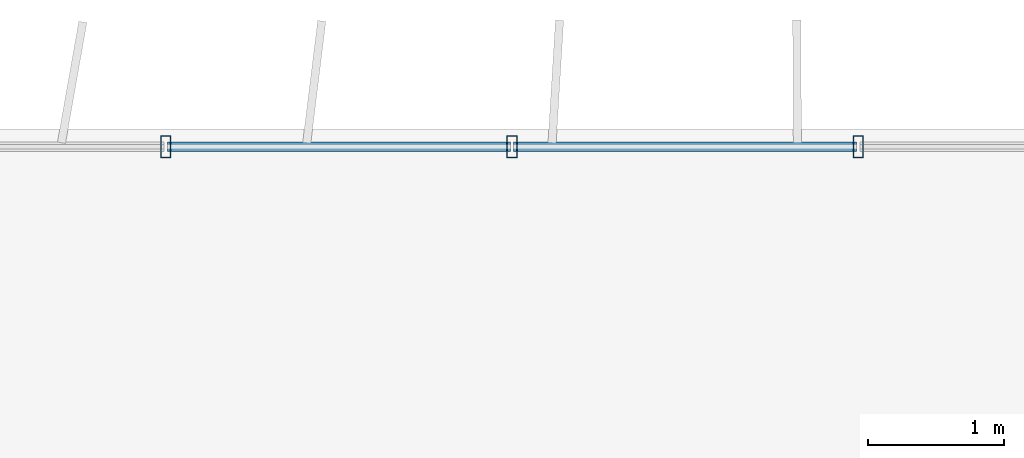
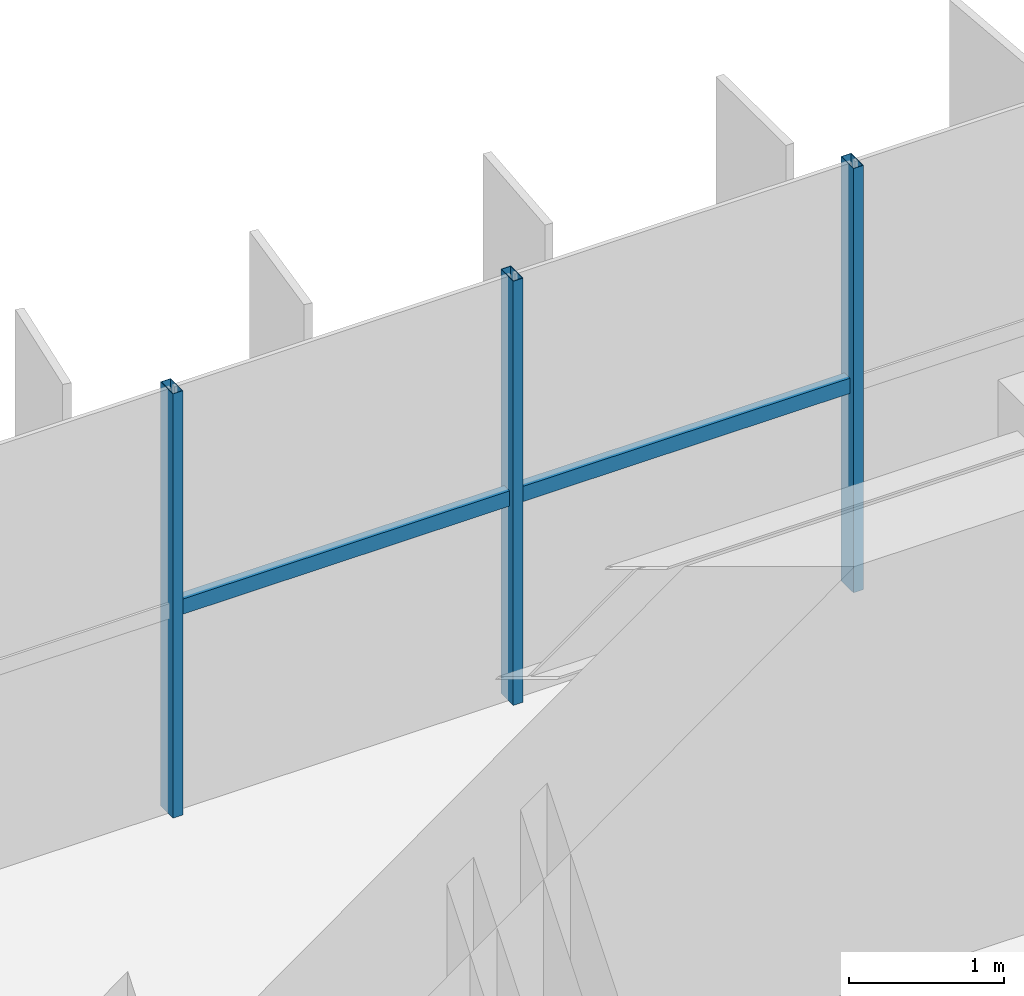
# One storey, part 6 of 20: 5 members, 1 element without a shape of its own.
"""IFC4 building model written with IfcOpenShell, lengths in metres."""

import ifcopenshell
import ifcopenshell.guid

model = None  # the IFC model being written
_history = None  # IfcOwnerHistory: only IFC2X3 demands one
_inside = {}  # id of a spatial element -> (the spatial element, [elements in it])
_under = {}  # id of a project, library or spatial element -> (it, [spatial elements below it])
_declared = {}  # id of a project -> (the project, [libraries it declares])
_typed = {}  # id of a type object -> (the type object, [elements of that type])
_made_of = {}  # id of a material, layer set ... -> (it, [elements and type objects made of it])


def new_model(schema):
    """Start an empty IFC model of exactly this schema.

    Asked for "IFC4X3", IfcOpenShell would pick the latest addendum, in which some entities
    have other attributes; the version numbers below select the first issue.
    IFC2X3 requires an IfcOwnerHistory on every rooted entity: one is made here for all.
    """
    global model, _history
    if schema == "IFC4X3":
        model = ifcopenshell.file(schema_version=(4, 3, 0, 0))
    else:
        model = ifcopenshell.file(schema=schema)
    _inside.clear()
    _under.clear()
    _declared.clear()
    _typed.clear()
    _made_of.clear()
    _history = None
    if model.schema == "IFC2X3":
        org = make("IfcOrganization", Name="unknown")
        user = make(
            "IfcPersonAndOrganization",
            ThePerson=make("IfcPerson", FamilyName="unknown"),
            TheOrganization=org,
        )
        app = make(
            "IfcApplication",
            ApplicationDeveloper=org,
            Version="unknown",
            ApplicationFullName="unknown",
            ApplicationIdentifier="unknown",
        )
        _history = make(
            "IfcOwnerHistory",
            OwningUser=user,
            OwningApplication=app,
            ChangeAction="ADDED",
            CreationDate=0,
        )
    return model


def make(cls, **values):
    """One entity of the class cls with the attributes given. An attribute that is None is left unset."""
    return model.create_entity(
        cls, **{name: value for name, value in values.items() if value is not None}
    )


def rooted(cls, **values):
    """An entity with a GlobalId (a new one), such as an element, a storey or a relation."""
    return make(cls, GlobalId=ifcopenshell.guid.new(), OwnerHistory=_history, **values)


def si_unit(unit_type, name, prefix=None):
    """IfcSIUnit, for example si_unit("LENGTHUNIT", "METRE", prefix="MILLI")."""
    return make("IfcSIUnit", UnitType=unit_type, Prefix=prefix, Name=name)


def assignment(units):
    """IfcUnitAssignment: the units of a project."""
    return None if units is None else make("IfcUnitAssignment", Units=units)


def point(xyz):
    """IfcCartesianPoint."""
    return None if xyz is None else make("IfcCartesianPoint", Coordinates=xyz)


def direction(xyz):
    """IfcDirection."""
    return None if xyz is None else make("IfcDirection", DirectionRatios=xyz)


def frame(location, z_axis=None, x_axis=None):
    """IfcAxis2Placement3D, a coordinate frame: its origin and axes. An axis left out is left unset."""
    return make(
        "IfcAxis2Placement3D",
        Location=point(location),
        Axis=direction(z_axis),
        RefDirection=direction(x_axis),
    )


def frame_2d(location, x_axis=None):
    """IfcAxis2Placement2D, a coordinate frame in the plane: its origin and x axis."""
    return make(
        "IfcAxis2Placement2D", Location=point(location), RefDirection=direction(x_axis)
    )


def origin():
    """The frame at (0, 0, 0) with its axes left unset."""
    return frame((0.0, 0.0, 0.0))


def origin_2d():
    """The frame at (0, 0) in the plane with its x axis left unset."""
    return frame_2d((0.0, 0.0))


def place(relative_to, where):
    """IfcLocalPlacement: puts the frame where relative to a parent placement (None: the world)."""
    return make(
        "IfcLocalPlacement", PlacementRelTo=relative_to, RelativePlacement=where
    )


def context(
    kind, dimensions, precision=None, world=None, true_north=None, identifier=None
):
    """IfcGeometricRepresentationContext, for example the 3D "Model" context."""
    return make(
        "IfcGeometricRepresentationContext",
        ContextIdentifier=identifier,
        ContextType=kind,
        CoordinateSpaceDimension=dimensions,
        Precision=precision,
        WorldCoordinateSystem=world,
        TrueNorth=true_north,
    )


def subcontext(parent, identifier, kind, view, scale=None):
    """IfcGeometricRepresentationSubContext, for example "Body" below "Model"."""
    return make(
        "IfcGeometricRepresentationSubContext",
        ContextIdentifier=identifier,
        ContextType=kind,
        ParentContext=parent,
        TargetScale=scale,
        TargetView=view,
    )


def project(units=None, contexts=None):
    """IfcProject with its units and contexts."""
    return rooted(
        "IfcProject",
        Name="project",
        RepresentationContexts=contexts,
        UnitsInContext=assignment(units),
    )


def spatial(cls, under=None, at=None, **own):
    """A site, building, storey or space (cls), placed at a placement, below another one or the project."""
    s = rooted(cls, ObjectPlacement=at, **own)
    if under is not None:
        _under.setdefault(under.id(), (under, []))[1].append(s)
    return s


def profile(cls, at=None, kind="AREA", **sizes):
    """A parametric profile (cls). Its sizes go by their IFC names, for example OverallWidth=200.0."""
    return make(cls, ProfileType=kind, Position=at, **sizes)


def hollow_rectangle(**sizes):
    """IfcRectangleHollowProfileDef."""
    return profile("IfcRectangleHollowProfileDef", **sizes)


def extrude(swept, where, along, depth):
    """IfcExtrudedAreaSolid: the profile swept, set in the frame where, extruded along a direction by depth."""
    return make(
        "IfcExtrudedAreaSolid",
        SweptArea=swept,
        Position=where,
        ExtrudedDirection=direction(along),
        Depth=depth,
    )


def shape(context_of_items, identifier, shape_type, items):
    """IfcShapeRepresentation: the items that make up one representation, for example the "Body"."""
    return make(
        "IfcShapeRepresentation",
        ContextOfItems=context_of_items,
        RepresentationIdentifier=identifier,
        RepresentationType=shape_type,
        Items=items,
    )


def source(mapping_origin, context_of_items, identifier, shape_type, items):
    """IfcRepresentationMap: a shape defined once, which mapped items show again and again."""
    return make(
        "IfcRepresentationMap",
        MappingOrigin=mapping_origin,
        MappedRepresentation=shape(context_of_items, identifier, shape_type, items),
    )


def transform(
    local_origin,
    x_axis=None,
    y_axis=None,
    z_axis=None,
    scale=None,
    scale2=None,
    scale3=None,
    uniform=True,
):
    """IfcCartesianTransformationOperator3D, or its non-uniform kind. x_axis, y_axis, z_axis: its Axis1, 2, 3."""
    if uniform:
        return make(
            "IfcCartesianTransformationOperator3D",
            Axis1=direction(x_axis),
            Axis2=direction(y_axis),
            LocalOrigin=point(local_origin),
            Scale=scale,
            Axis3=direction(z_axis),
        )
    return make(
        "IfcCartesianTransformationOperator3DnonUniform",
        Axis1=direction(x_axis),
        Axis2=direction(y_axis),
        LocalOrigin=point(local_origin),
        Scale=scale,
        Axis3=direction(z_axis),
        Scale2=scale2,
        Scale3=scale3,
    )


def mapped(mapping_source, mapping_target):
    """IfcMappedItem: shows the shape of a source again, moved by a transform."""
    return make(
        "IfcMappedItem", MappingSource=mapping_source, MappingTarget=mapping_target
    )


def material(Name=None, Category=None):
    """IfcMaterial."""
    return make("IfcMaterial", Name=Name, Category=Category)


def material_profile(
    of_material, cross_section, Name=None, Category=None, Priority=None
):
    """IfcMaterialProfile: a cross section and its material."""
    return make(
        "IfcMaterialProfile",
        Name=Name,
        Material=of_material,
        Profile=cross_section,
        Priority=Priority,
        Category=Category,
    )


def profile_set(profiles, Name=None, composite=None):
    """IfcMaterialProfileSet."""
    return make(
        "IfcMaterialProfileSet",
        Name=Name,
        MaterialProfiles=profiles,
        CompositeProfile=composite,
    )


def made_of(thing, what):
    """Note that an element or type object is made of a material, layer set ...; save() writes the relation."""
    if what is not None:
        _made_of.setdefault(what.id(), (what, []))[1].append(thing)
    return thing


def type_object(cls, material=None, **own):
    """A type object (cls), such as IfcWallType, which elements share."""
    return made_of(rooted(cls, **own), material)


def element(
    cls,
    number,
    at=None,
    inside=None,
    cuts=None,
    type_object=None,
    material=None,
    context=None,
    identifier="Body",
    shape_type=None,
    held_by="IfcProductDefinitionShape",
    body=None,
    shapes=None,
    **own,
):
    """One element of the class cls, such as IfcWall. Its Tag is "e" and its number.

    at: its placement. inside: the storey or other place that contains it. cuts: it is an
    opening in that element (IfcRelVoidsElement). A single representation is given by context,
    identifier, shape_type and body (its items); several are given by shapes. held_by: the class
    of the entity that holds the representations. save() writes the other relations.
    """
    e = rooted(cls, Tag="e%d" % number, ObjectPlacement=at, **own)
    if body is not None:
        shapes = [shape(context, identifier, shape_type, body)]
    if shapes is not None:
        e.Representation = make(held_by, Representations=shapes)
    if inside is not None:
        _inside.setdefault(inside.id(), (inside, []))[1].append(e)
    if cuts is not None:
        rooted(
            "IfcRelVoidsElement", RelatingBuildingElement=cuts, RelatedOpeningElement=e
        )
    if type_object is not None:
        _typed.setdefault(type_object.id(), (type_object, []))[1].append(e)
    return made_of(e, material)


def aggregate(whole, parts):
    """IfcRelAggregates: a whole, such as a stair, and the parts it consists of."""
    return rooted("IfcRelAggregates", RelatingObject=whole, RelatedObjects=parts)


def save(model, path):
    """Write the relations noted so far, then the file.

    IfcRelAggregates (storeys below a building ...), IfcRelContainedInSpatialStructure (elements
    in a storey), IfcRelDefinesByType, IfcRelAssociatesMaterial and IfcRelDeclares: one each for
    every whole, place, type object, material and project.
    """
    for whole, parts in _under.values():
        aggregate(whole, parts)
    for where, things in _inside.values():
        rooted(
            "IfcRelContainedInSpatialStructure",
            RelatedElements=things,
            RelatingStructure=where,
        )
    for kind, things in _typed.values():
        rooted("IfcRelDefinesByType", RelatedObjects=things, RelatingType=kind)
    for what, things in _made_of.values():
        rooted("IfcRelAssociatesMaterial", RelatedObjects=things, RelatingMaterial=what)
    for by, libraries in _declared.values():
        rooted("IfcRelDeclares", RelatingContext=by, RelatedDefinitions=libraries)
    model.write(path)


model = new_model("IFC4")

# Units and contexts
model_context = context("Model", 3, precision=1e-05, world=origin(), true_north=direction((0.0, 1.0)))
body_context = subcontext(model_context, "Body", "Model", "MODEL_VIEW")
ifc_project = project(units=[si_unit("LENGTHUNIT", "METRE"), si_unit("AREAUNIT", "SQUARE_METRE"), si_unit("VOLUMEUNIT", "CUBIC_METRE"), si_unit("PLANEANGLEUNIT", "RADIAN"), si_unit("MASSUNIT", "GRAM", prefix="KILO")], contexts=[model_context])

# Site, building, storey
site_placement = place(None, origin())
site = spatial("IfcSite", under=ifc_project, at=site_placement, CompositionType="ELEMENT")
building_placement = place(site_placement, origin())
building = spatial("IfcBuilding", under=site, at=building_placement, Name="Trelvane Seafront Commons", CompositionType="ELEMENT")
storey_placement = place(building_placement, frame((0.0, 0.0, 146.5)))
storey = spatial("IfcBuildingStorey", under=building, at=storey_placement, Name="L38", CompositionType="ELEMENT", Elevation=146.5)

# Curtain wall, members
ifc_material = material(Name="Anodised pale-silver aluminium", Category="aluminium")
curtain_wall_type = type_object("IfcCurtainWallType", Name="ARCH-CW5-UPTOWER", PredefinedType="NOTDEFINED", material=ifc_material)
curtain_wall_placement = place(storey_placement, origin())
curtain_wall = element("IfcCurtainWall", 1, at=curtain_wall_placement, inside=storey, type_object=curtain_wall_type, Name="CW-L38-0065", PredefinedType="NOTDEFINED")
ifc_material_profile_1 = material_profile(ifc_material, hollow_rectangle(XDim=0.070068359375, YDim=0.1201171875, WallThickness=0.00390625, at=origin_2d()), Name="TRAN-70x120x4")
ifc_profile_set_1 = profile_set([ifc_material_profile_1], Name="Anodised pale-silver aluminium")
member_type_1 = type_object("IfcMemberType", Name="ARCH-CW-TRAN-120", PredefinedType="USERDEFINED", material=ifc_profile_set_1)
shared_shape_1 = source(origin(), body_context, "Body", "SweptSolid", [
    extrude(hollow_rectangle(XDim=0.070068359375, YDim=0.1201171875, WallThickness=0.00390625, at=origin_2d()), origin(), (0.0, 0.0, 1.0), 2.517333984375),
])
member_1_placement = place(storey_placement, frame((25.776611328125, 48.3701171875, 1.60791015625), z_axis=(1.0, 0.0, 0.0), x_axis=(0.0, 1.0, 0.0)))
member_1 = element("IfcMember", 2, at=member_1_placement, type_object=member_type_1, Name="CW-L38-0065-T04", ObjectType="TRANSOM", PredefinedType="USERDEFINED", context=body_context, shape_type="MappedRepresentation", body=[
    mapped(shared_shape_1, transform((0.0, 0.0, 0.0), x_axis=(1.0, 0.0, 0.0), y_axis=(0.0, 1.0, 0.0), z_axis=(0.0, 0.0, 1.0), scale=1.0)),
])
member_2_placement = place(storey_placement, frame((28.31787109375, 48.3701171875, 1.60791015625), z_axis=(1.0, 0.0, 0.0), x_axis=(0.0, 1.0, 0.0)))
member_2 = element("IfcMember", 3, at=member_2_placement, type_object=member_type_1, Name="CW-L38-0065-T05", ObjectType="TRANSOM", PredefinedType="USERDEFINED", context=body_context, shape_type="MappedRepresentation", body=[
    mapped(shared_shape_1, transform((0.0, 0.0, 0.0), x_axis=(1.0, 0.0, 0.0), y_axis=(0.0, 1.0, 0.0), z_axis=(0.0, 0.0, 1.0), scale=1.0)),
])
ifc_material_profile_2 = material_profile(ifc_material, hollow_rectangle(XDim=0.074951171875, YDim=0.159912109375, WallThickness=0.00390625, at=origin_2d()), Name="MULL-75x160x4")
ifc_profile_set_2 = profile_set([ifc_material_profile_2], Name="Anodised pale-silver aluminium")
member_type_2 = type_object("IfcMemberType", Name="ARCH-CW-MULL-160", PredefinedType="MULLION", material=ifc_profile_set_2)
shared_shape_2 = source(origin(), body_context, "Body", "SweptSolid", [
    extrude(hollow_rectangle(XDim=0.074951171875, YDim=0.159912109375, WallThickness=0.00390625, at=origin_2d()), origin(), (0.0, 0.0, 1.0), 3.35009765625),
])
member_3_placement = place(storey_placement, frame((25.7646484375, 48.3701171875, 0.0), z_axis=(0.0, 0.0, 1.0), x_axis=(1.0, 0.0, 0.0)))
member_3 = element("IfcMember", 4, at=member_3_placement, type_object=member_type_2, Name="CW-L38-0065-M04", PredefinedType="MULLION", context=body_context, shape_type="MappedRepresentation", body=[
    mapped(shared_shape_2, transform((0.0, 0.0, 0.0), x_axis=(1.0, 0.0, 0.0), y_axis=(0.0, 1.0, 0.0), z_axis=(0.0, 0.0, 1.0), scale=1.0)),
])
member_4_placement = place(storey_placement, frame((28.305908203125, 48.3701171875, 0.0), z_axis=(0.0, 0.0, 1.0), x_axis=(1.0, 0.0, 0.0)))
member_4 = element("IfcMember", 5, at=member_4_placement, type_object=member_type_2, Name="CW-L38-0065-M05", PredefinedType="MULLION", context=body_context, shape_type="MappedRepresentation", body=[
    mapped(shared_shape_2, transform((0.0, 0.0, 0.0), x_axis=(1.0, 0.0, 0.0), y_axis=(0.0, 1.0, 0.0), z_axis=(0.0, 0.0, 1.0), scale=1.0)),
])
member_5_placement = place(storey_placement, frame((30.84716796875, 48.3701171875, 0.0), z_axis=(0.0, 0.0, 1.0), x_axis=(1.0, 0.0, 0.0)))
member_5 = element("IfcMember", 6, at=member_5_placement, type_object=member_type_2, Name="CW-L38-0065-M06", PredefinedType="MULLION", context=body_context, shape_type="MappedRepresentation", body=[
    mapped(shared_shape_2, transform((0.0, 0.0, 0.0), x_axis=(1.0, 0.0, 0.0), y_axis=(0.0, 1.0, 0.0), z_axis=(0.0, 0.0, 1.0), scale=1.0)),
])
aggregate(curtain_wall, [member_3, member_4, member_5, member_1, member_2])

save(model, "model.ifc")
